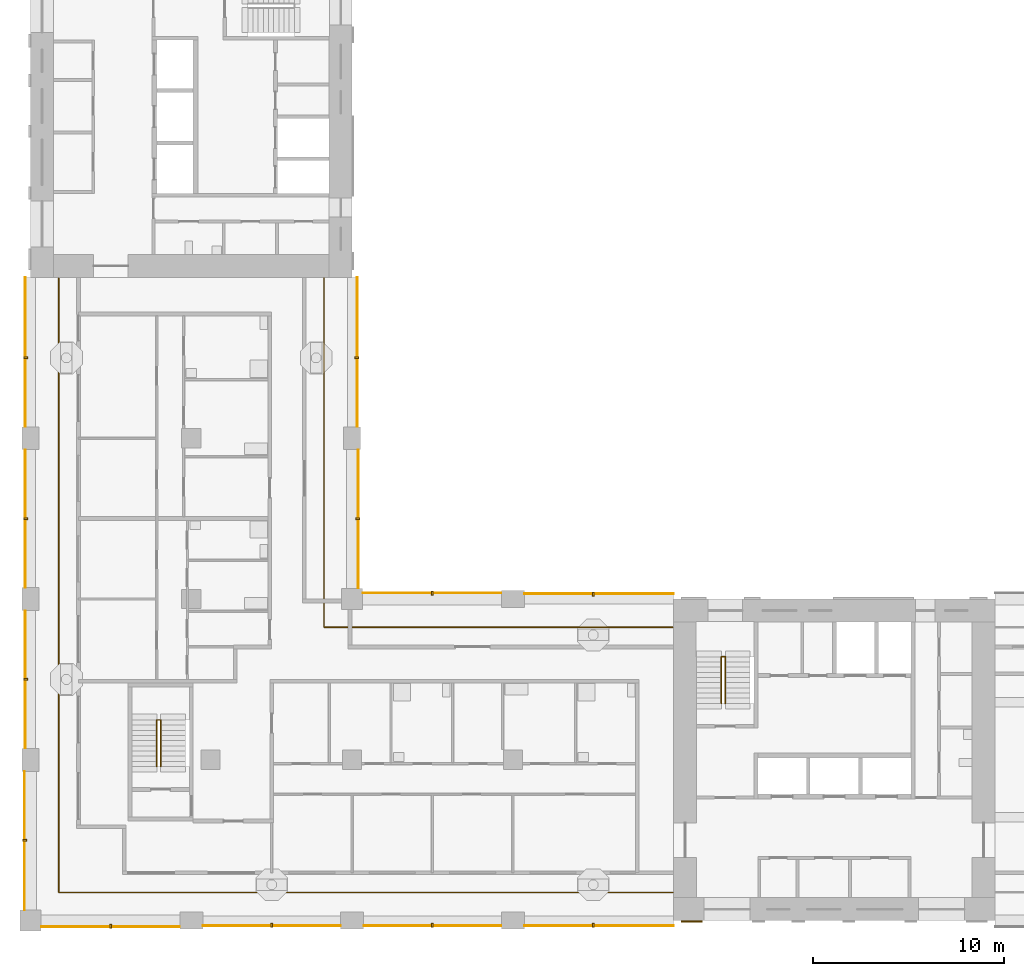
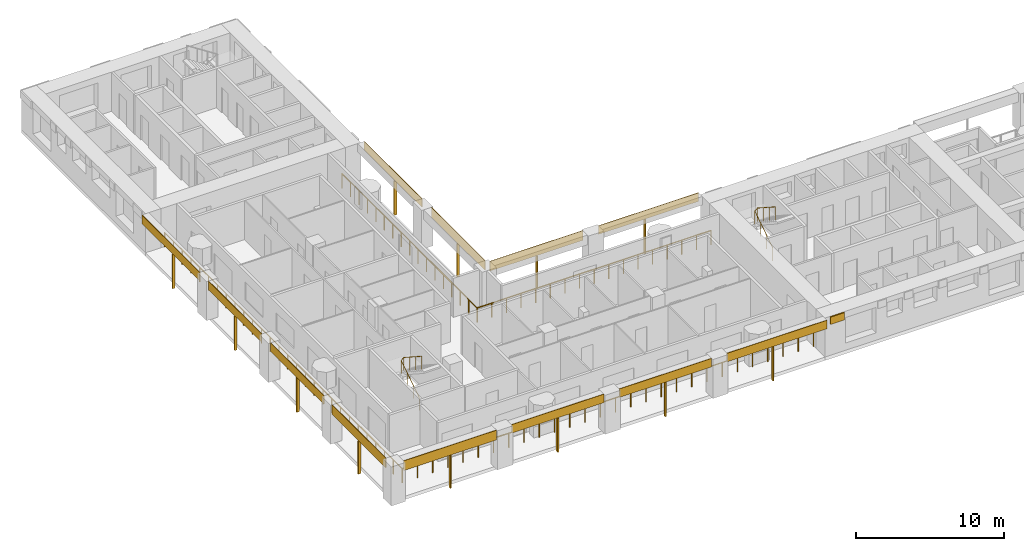
# One storey, part 8 of 13: 25 shading devices, 4 railings.
"""IFC4 building model written with IfcOpenShell, lengths in metres."""

from ifc_helpers import new_model, si_unit, direction, frame, origin, origin_2d, place, context, subcontext, project, spatial, rectangle, circle, extrude, material, layer, layer_set, material_profile, profile_set, type_object, element, save


model = new_model("IFC4")

# Units and contexts
model_context = context("Model", 3, precision=1e-05, world=origin(), true_north=direction((0.0, 1.0)))
body_context = subcontext(model_context, "Body", "Model", "MODEL_VIEW")
ifc_project = project(units=[si_unit("LENGTHUNIT", "METRE"), si_unit("AREAUNIT", "SQUARE_METRE"), si_unit("VOLUMEUNIT", "CUBIC_METRE"), si_unit("PLANEANGLEUNIT", "RADIAN"), si_unit("MASSUNIT", "GRAM", prefix="KILO")], contexts=[model_context])

# Site, building, storey
site_placement = place(None, origin())
site = spatial("IfcSite", under=ifc_project, at=site_placement, CompositionType="ELEMENT")
building_placement = place(site_placement, origin())
building = spatial("IfcBuilding", under=site, at=building_placement, Name="Vermilion Gate Residences", CompositionType="ELEMENT")
storey_placement = place(building_placement, frame((0.0, 0.0, 154.699951171875)))
storey = spatial("IfcBuildingStorey", under=building, at=storey_placement, Name="L39", CompositionType="ELEMENT", Elevation=154.699951171875)

# Railings
ifc_material_1 = material(Name="Stainless steel and toughened glass", Category="steel")
railing_type_1 = type_object("IfcRailingType", Name="LOGGIA GUARD STEEL AND GLASS 1200", PredefinedType="GUARDRAIL", material=ifc_material_1)
railing_1_placement = place(storey_placement, frame((41.97802734375, 23.72509765625, 0.0)))
element("IfcRailing", 1, at=railing_1_placement, inside=storey, type_object=railing_type_1, Name="Loggia guard", PredefinedType="GUARDRAIL", context=body_context, shape_type="SweptSolid", body=[
    extrude(circle(Radius=0.030029296875, at=origin_2d()), frame((0.0, 0.0, 1.169921875), z_axis=(-1.0, 0.0, 0.0), x_axis=(0.0, -1.0, 0.0)), (0.0, 0.0, 1.0), 18.2529296875),
    extrude(circle(Radius=0.030029296875, at=origin_2d()), frame((-18.2529296875, 0.0, 1.169921875), z_axis=(0.0, 1.0, 0.0), x_axis=(-1.0, 0.0, 0.0)), (0.0, 0.0, 1.0), 18.2529296875),
    extrude(circle(Radius=0.02490234375, at=origin_2d()), origin(), (0.0, 0.0, 1.0), 1.139892578125),
    extrude(circle(Radius=0.02490234375, at=origin_2d()), frame((-1.140869140625, 0.0, 0.0)), (0.0, 0.0, 1.0), 1.139892578125),
    extrude(circle(Radius=0.02490234375, at=origin_2d()), frame((-2.28173828125, 0.0, 0.0)), (0.0, 0.0, 1.0), 1.139892578125),
    extrude(circle(Radius=0.02490234375, at=origin_2d()), frame((-3.42236328125, 0.0, 0.0)), (0.0, 0.0, 1.0), 1.139892578125),
    extrude(circle(Radius=0.02490234375, at=origin_2d()), frame((-4.563232421875, 0.0, 0.0)), (0.0, 0.0, 1.0), 1.139892578125),
    extrude(circle(Radius=0.02490234375, at=origin_2d()), frame((-5.7041015625, 0.0, 0.0)), (0.0, 0.0, 1.0), 1.139892578125),
    extrude(circle(Radius=0.02490234375, at=origin_2d()), frame((-6.8447265625, 0.0, 0.0)), (0.0, 0.0, 1.0), 1.139892578125),
    extrude(circle(Radius=0.02490234375, at=origin_2d()), frame((-7.985595703125, 0.0, 0.0)), (0.0, 0.0, 1.0), 1.139892578125),
    extrude(circle(Radius=0.02490234375, at=origin_2d()), frame((-9.12646484375, 0.0, 0.0)), (0.0, 0.0, 1.0), 1.139892578125),
    extrude(circle(Radius=0.02490234375, at=origin_2d()), frame((-10.267333984375, 0.0, 0.0)), (0.0, 0.0, 1.0), 1.139892578125),
    extrude(circle(Radius=0.02490234375, at=origin_2d()), frame((-11.408203125, 0.0, 0.0)), (0.0, 0.0, 1.0), 1.139892578125),
    extrude(circle(Radius=0.02490234375, at=origin_2d()), frame((-12.548828125, 0.0, 0.0)), (0.0, 0.0, 1.0), 1.139892578125),
    extrude(circle(Radius=0.02490234375, at=origin_2d()), frame((-13.689697265625, 0.0, 0.0)), (0.0, 0.0, 1.0), 1.139892578125),
    extrude(circle(Radius=0.02490234375, at=origin_2d()), frame((-14.83056640625, 0.0, 0.0)), (0.0, 0.0, 1.0), 1.139892578125),
    extrude(circle(Radius=0.02490234375, at=origin_2d()), frame((-15.97119140625, 0.0, 0.0)), (0.0, 0.0, 1.0), 1.139892578125),
    extrude(circle(Radius=0.02490234375, at=origin_2d()), frame((-17.112060546875, 0.0, 0.0)), (0.0, 0.0, 1.0), 1.139892578125),
    extrude(circle(Radius=0.02490234375, at=origin_2d()), frame((-18.2529296875, 0.0, 0.0)), (0.0, 0.0, 1.0), 1.139892578125),
    extrude(circle(Radius=0.02490234375, at=origin_2d()), frame((-18.2529296875, 1.140869140625, 0.0)), (0.0, 0.0, 1.0), 1.139892578125),
    extrude(circle(Radius=0.02490234375, at=origin_2d()), frame((-18.2529296875, 2.28173828125, 0.0)), (0.0, 0.0, 1.0), 1.139892578125),
    extrude(circle(Radius=0.02490234375, at=origin_2d()), frame((-18.2529296875, 3.42236328125, 0.0)), (0.0, 0.0, 1.0), 1.139892578125),
    extrude(circle(Radius=0.02490234375, at=origin_2d()), frame((-18.2529296875, 4.563232421875, 0.0)), (0.0, 0.0, 1.0), 1.139892578125),
    extrude(circle(Radius=0.02490234375, at=origin_2d()), frame((-18.2529296875, 5.7041015625, 0.0)), (0.0, 0.0, 1.0), 1.139892578125),
    extrude(circle(Radius=0.02490234375, at=origin_2d()), frame((-18.2529296875, 6.8447265625, 0.0)), (0.0, 0.0, 1.0), 1.139892578125),
    extrude(circle(Radius=0.02490234375, at=origin_2d()), frame((-18.2529296875, 7.985595703125, 0.0)), (0.0, 0.0, 1.0), 1.139892578125),
    extrude(circle(Radius=0.02490234375, at=origin_2d()), frame((-18.2529296875, 9.12646484375, 0.0)), (0.0, 0.0, 1.0), 1.139892578125),
    extrude(circle(Radius=0.02490234375, at=origin_2d()), frame((-18.2529296875, 10.267333984375, 0.0)), (0.0, 0.0, 1.0), 1.139892578125),
    extrude(circle(Radius=0.02490234375, at=origin_2d()), frame((-18.2529296875, 11.408203125, 0.0)), (0.0, 0.0, 1.0), 1.139892578125),
    extrude(circle(Radius=0.02490234375, at=origin_2d()), frame((-18.2529296875, 12.548828125, 0.0)), (0.0, 0.0, 1.0), 1.139892578125),
    extrude(circle(Radius=0.02490234375, at=origin_2d()), frame((-18.2529296875, 13.689697265625, 0.0)), (0.0, 0.0, 1.0), 1.139892578125),
    extrude(circle(Radius=0.02490234375, at=origin_2d()), frame((-18.2529296875, 14.83056640625, 0.0)), (0.0, 0.0, 1.0), 1.139892578125),
    extrude(circle(Radius=0.02490234375, at=origin_2d()), frame((-18.2529296875, 15.97119140625, 0.0)), (0.0, 0.0, 1.0), 1.139892578125),
    extrude(circle(Radius=0.02490234375, at=origin_2d()), frame((-18.2529296875, 17.112060546875, 0.0)), (0.0, 0.0, 1.0), 1.139892578125),
    extrude(circle(Radius=0.02490234375, at=origin_2d()), frame((-18.2529296875, 18.2529296875, 0.0)), (0.0, 0.0, 1.0), 1.139892578125),
])
railing_2_placement = place(storey_placement, frame((9.875, 41.97802734375, 0.0)))
element("IfcRailing", 2, at=railing_2_placement, inside=storey, type_object=railing_type_1, Name="Loggia guard", PredefinedType="GUARDRAIL", context=body_context, shape_type="SweptSolid", body=[
    extrude(circle(Radius=0.030029296875, at=origin_2d()), frame((0.0, 0.0, 1.169921875), z_axis=(0.0, -1.0, 0.0), x_axis=(1.0, 0.0, 0.0)), (0.0, 0.0, 1.0), 32.10302734375),
    extrude(circle(Radius=0.030029296875, at=origin_2d()), frame((0.0, -32.10302734375, 1.169921875), z_axis=(1.0, 0.0, 0.0), x_axis=(0.0, 1.0, 0.0)), (0.0, 0.0, 1.0), 32.10302734375),
    extrude(circle(Radius=0.02490234375, at=origin_2d()), origin(), (0.0, 0.0, 1.0), 1.139892578125),
    extrude(circle(Radius=0.02490234375, at=origin_2d()), frame((0.0, -1.18896484375, 0.0)), (0.0, 0.0, 1.0), 1.139892578125),
    extrude(circle(Radius=0.02490234375, at=origin_2d()), frame((0.0, -2.3779296875, 0.0)), (0.0, 0.0, 1.0), 1.139892578125),
    extrude(circle(Radius=0.02490234375, at=origin_2d()), frame((0.0, -3.56689453125, 0.0)), (0.0, 0.0, 1.0), 1.139892578125),
    extrude(circle(Radius=0.02490234375, at=origin_2d()), frame((0.0, -4.756103515625, 0.0)), (0.0, 0.0, 1.0), 1.139892578125),
    extrude(circle(Radius=0.02490234375, at=origin_2d()), frame((0.0, -5.945068359375, 0.0)), (0.0, 0.0, 1.0), 1.139892578125),
    extrude(circle(Radius=0.02490234375, at=origin_2d()), frame((0.0, -7.134033203125, 0.0)), (0.0, 0.0, 1.0), 1.139892578125),
    extrude(circle(Radius=0.02490234375, at=origin_2d()), frame((0.0, -8.322998046875, 0.0)), (0.0, 0.0, 1.0), 1.139892578125),
    extrude(circle(Radius=0.02490234375, at=origin_2d()), frame((0.0, -9.511962890625, 0.0)), (0.0, 0.0, 1.0), 1.139892578125),
    extrude(circle(Radius=0.02490234375, at=origin_2d()), frame((0.0, -10.700927734375, 0.0)), (0.0, 0.0, 1.0), 1.139892578125),
    extrude(circle(Radius=0.02490234375, at=origin_2d()), frame((0.0, -11.889892578125, 0.0)), (0.0, 0.0, 1.0), 1.139892578125),
    extrude(circle(Radius=0.02490234375, at=origin_2d()), frame((0.0, -13.0791015625, 0.0)), (0.0, 0.0, 1.0), 1.139892578125),
    extrude(circle(Radius=0.02490234375, at=origin_2d()), frame((0.0, -14.26806640625, 0.0)), (0.0, 0.0, 1.0), 1.139892578125),
    extrude(circle(Radius=0.02490234375, at=origin_2d()), frame((0.0, -15.45703125, 0.0)), (0.0, 0.0, 1.0), 1.139892578125),
    extrude(circle(Radius=0.02490234375, at=origin_2d()), frame((0.0, -16.64599609375, 0.0)), (0.0, 0.0, 1.0), 1.139892578125),
    extrude(circle(Radius=0.02490234375, at=origin_2d()), frame((0.0, -17.8349609375, 0.0)), (0.0, 0.0, 1.0), 1.139892578125),
    extrude(circle(Radius=0.02490234375, at=origin_2d()), frame((0.0, -19.02392578125, 0.0)), (0.0, 0.0, 1.0), 1.139892578125),
    extrude(circle(Radius=0.02490234375, at=origin_2d()), frame((0.0, -20.213134765625, 0.0)), (0.0, 0.0, 1.0), 1.139892578125),
    extrude(circle(Radius=0.02490234375, at=origin_2d()), frame((0.0, -21.402099609375, 0.0)), (0.0, 0.0, 1.0), 1.139892578125),
    extrude(circle(Radius=0.02490234375, at=origin_2d()), frame((0.0, -22.591064453125, 0.0)), (0.0, 0.0, 1.0), 1.139892578125),
    extrude(circle(Radius=0.02490234375, at=origin_2d()), frame((0.0, -23.780029296875, 0.0)), (0.0, 0.0, 1.0), 1.139892578125),
    extrude(circle(Radius=0.02490234375, at=origin_2d()), frame((0.0, -24.968994140625, 0.0)), (0.0, 0.0, 1.0), 1.139892578125),
    extrude(circle(Radius=0.02490234375, at=origin_2d()), frame((0.0, -26.157958984375, 0.0)), (0.0, 0.0, 1.0), 1.139892578125),
    extrude(circle(Radius=0.02490234375, at=origin_2d()), frame((0.0, -27.346923828125, 0.0)), (0.0, 0.0, 1.0), 1.139892578125),
    extrude(circle(Radius=0.02490234375, at=origin_2d()), frame((0.0, -28.5361328125, 0.0)), (0.0, 0.0, 1.0), 1.139892578125),
    extrude(circle(Radius=0.02490234375, at=origin_2d()), frame((0.0, -29.72509765625, 0.0)), (0.0, 0.0, 1.0), 1.139892578125),
    extrude(circle(Radius=0.02490234375, at=origin_2d()), frame((0.0, -30.9140625, 0.0)), (0.0, 0.0, 1.0), 1.139892578125),
    extrude(circle(Radius=0.02490234375, at=origin_2d()), frame((0.0, -32.10302734375, 0.0)), (0.0, 0.0, 1.0), 1.139892578125),
    extrude(circle(Radius=0.02490234375, at=origin_2d()), frame((1.18896484375, -32.10302734375, 0.0)), (0.0, 0.0, 1.0), 1.139892578125),
    extrude(circle(Radius=0.02490234375, at=origin_2d()), frame((2.3779296875, -32.10302734375, 0.0)), (0.0, 0.0, 1.0), 1.139892578125),
    extrude(circle(Radius=0.02490234375, at=origin_2d()), frame((3.56689453125, -32.10302734375, 0.0)), (0.0, 0.0, 1.0), 1.139892578125),
    extrude(circle(Radius=0.02490234375, at=origin_2d()), frame((4.756103515625, -32.10302734375, 0.0)), (0.0, 0.0, 1.0), 1.139892578125),
    extrude(circle(Radius=0.02490234375, at=origin_2d()), frame((5.945068359375, -32.10302734375, 0.0)), (0.0, 0.0, 1.0), 1.139892578125),
    extrude(circle(Radius=0.02490234375, at=origin_2d()), frame((7.134033203125, -32.10302734375, 0.0)), (0.0, 0.0, 1.0), 1.139892578125),
    extrude(circle(Radius=0.02490234375, at=origin_2d()), frame((8.322998046875, -32.10302734375, 0.0)), (0.0, 0.0, 1.0), 1.139892578125),
    extrude(circle(Radius=0.02490234375, at=origin_2d()), frame((9.511962890625, -32.10302734375, 0.0)), (0.0, 0.0, 1.0), 1.139892578125),
    extrude(circle(Radius=0.02490234375, at=origin_2d()), frame((10.700927734375, -32.10302734375, 0.0)), (0.0, 0.0, 1.0), 1.139892578125),
    extrude(circle(Radius=0.02490234375, at=origin_2d()), frame((11.889892578125, -32.10302734375, 0.0)), (0.0, 0.0, 1.0), 1.139892578125),
    extrude(circle(Radius=0.02490234375, at=origin_2d()), frame((13.0791015625, -32.10302734375, 0.0)), (0.0, 0.0, 1.0), 1.139892578125),
    extrude(circle(Radius=0.02490234375, at=origin_2d()), frame((14.26806640625, -32.10302734375, 0.0)), (0.0, 0.0, 1.0), 1.139892578125),
    extrude(circle(Radius=0.02490234375, at=origin_2d()), frame((15.45703125, -32.10302734375, 0.0)), (0.0, 0.0, 1.0), 1.139892578125),
    extrude(circle(Radius=0.02490234375, at=origin_2d()), frame((16.64599609375, -32.10302734375, 0.0)), (0.0, 0.0, 1.0), 1.139892578125),
    extrude(circle(Radius=0.02490234375, at=origin_2d()), frame((17.8349609375, -32.10302734375, 0.0)), (0.0, 0.0, 1.0), 1.139892578125),
    extrude(circle(Radius=0.02490234375, at=origin_2d()), frame((19.02392578125, -32.10302734375, 0.0)), (0.0, 0.0, 1.0), 1.139892578125),
    extrude(circle(Radius=0.02490234375, at=origin_2d()), frame((20.213134765625, -32.10302734375, 0.0)), (0.0, 0.0, 1.0), 1.139892578125),
    extrude(circle(Radius=0.02490234375, at=origin_2d()), frame((21.402099609375, -32.10302734375, 0.0)), (0.0, 0.0, 1.0), 1.139892578125),
    extrude(circle(Radius=0.02490234375, at=origin_2d()), frame((22.591064453125, -32.10302734375, 0.0)), (0.0, 0.0, 1.0), 1.139892578125),
    extrude(circle(Radius=0.02490234375, at=origin_2d()), frame((23.780029296875, -32.10302734375, 0.0)), (0.0, 0.0, 1.0), 1.139892578125),
    extrude(circle(Radius=0.02490234375, at=origin_2d()), frame((24.968994140625, -32.10302734375, 0.0)), (0.0, 0.0, 1.0), 1.139892578125),
    extrude(circle(Radius=0.02490234375, at=origin_2d()), frame((26.157958984375, -32.10302734375, 0.0)), (0.0, 0.0, 1.0), 1.139892578125),
    extrude(circle(Radius=0.02490234375, at=origin_2d()), frame((27.346923828125, -32.10302734375, 0.0)), (0.0, 0.0, 1.0), 1.139892578125),
    extrude(circle(Radius=0.02490234375, at=origin_2d()), frame((28.5361328125, -32.10302734375, 0.0)), (0.0, 0.0, 1.0), 1.139892578125),
    extrude(circle(Radius=0.02490234375, at=origin_2d()), frame((29.72509765625, -32.10302734375, 0.0)), (0.0, 0.0, 1.0), 1.139892578125),
    extrude(circle(Radius=0.02490234375, at=origin_2d()), frame((30.9140625, -32.10302734375, 0.0)), (0.0, 0.0, 1.0), 1.139892578125),
    extrude(circle(Radius=0.02490234375, at=origin_2d()), frame((32.10302734375, -32.10302734375, 0.0)), (0.0, 0.0, 1.0), 1.139892578125),
])

# Shading devices
ifc_material_2 = material(Name="Perforated terracotta", Category="masonry")
ifc_layer_1 = layer(ifc_material_2, 0.0400390625)
ifc_layer_set_1 = layer_set([ifc_layer_1], Name="PERFORATED TERRACOTTA SCREEN 40")
shading_device_type_1 = type_object("IfcShadingDeviceType", Name="PERFORATED TERRACOTTA SCREEN 40", PredefinedType="SHUTTER", material=ifc_layer_set_1)
shading_device_1_placement = place(storey_placement, frame((12.574951171875, 8.080078125, 2.419921875), z_axis=(0.0, 0.0, 1.0), x_axis=(1.0, 0.0, 0.0)))
element("IfcShadingDevice", 3, at=shading_device_1_placement, inside=storey, type_object=shading_device_type_1, Name="SCREEN", PredefinedType="SHUTTER", context=body_context, shape_type="SweptSolid", body=[
    extrude(rectangle(XDim=7.25, YDim=0.0400390625, at=origin_2d()), origin(), (0.0, 0.0, 1.0), 0.800048828125),
])
for number, where, z_axis, x_axis, name in (
    (4, (21.0, 8.1298828125, 2.52001953125), (0.0, 0.0, 1.0), (1.0, 0.0, 0.0), "SCREEN"),
    (5, (29.39990234375, 8.1298828125, 2.52001953125), (0.0, 0.0, 1.0), (1.0, 0.0, 0.0), "SCREEN"),
):
    element("IfcShadingDevice", number, at=place(storey_placement, frame(where, z_axis=z_axis, x_axis=x_axis)), inside=storey, type_object=shading_device_type_1, Name=name, PredefinedType="SHUTTER", context=body_context, shape_type="SweptSolid", body=[
        extrude(rectangle(XDim=7.199951171875, YDim=0.0400390625, at=origin_2d()), origin(), (0.0, 0.0, 1.0), 0.699951171875),
    ])
shading_device_2_placement = place(storey_placement, frame((38.10009765625, 8.1298828125, 2.52001953125), z_axis=(0.0, 0.0, 1.0), x_axis=(1.0, 0.0, 0.0)))
element("IfcShadingDevice", 6, at=shading_device_2_placement, inside=storey, type_object=shading_device_type_1, Name="SCREEN", PredefinedType="SHUTTER", context=body_context, shape_type="SweptSolid", body=[
    extrude(rectangle(XDim=7.800048828125, YDim=0.0400390625, at=origin_2d()), origin(), (0.0, 0.0, 1.0), 0.699951171875),
])
shading_device_3_placement = place(storey_placement, frame((29.375, 25.52001953125, 2.419921875), z_axis=(0.0, 0.0, 1.0), x_axis=(-1.0, 0.0, 0.0)))
element("IfcShadingDevice", 7, at=shading_device_3_placement, inside=storey, type_object=shading_device_type_1, Name="SCREEN", PredefinedType="SHUTTER", context=body_context, shape_type="SweptSolid", body=[
    extrude(rectangle(XDim=7.25, YDim=0.0400390625, at=origin_2d()), origin(), (0.0, 0.0, 1.0), 0.800048828125),
])
shading_device_4_placement = place(storey_placement, frame((38.10009765625, 25.469970703125, 2.52001953125), z_axis=(0.0, 0.0, 1.0), x_axis=(-1.0, 0.0, 0.0)))
element("IfcShadingDevice", 8, at=shading_device_4_placement, inside=storey, type_object=shading_device_type_1, Name="SCREEN", PredefinedType="SHUTTER", context=body_context, shape_type="SweptSolid", body=[
    extrude(rectangle(XDim=7.800048828125, YDim=0.0400390625, at=origin_2d()), origin(), (0.0, 0.0, 1.0), 0.699951171875),
])
shading_device_5_placement = place(storey_placement, frame((25.52001953125, 29.375, 2.419921875), z_axis=(0.0, 0.0, 1.0), x_axis=(0.0, 1.0, 0.0)))
element("IfcShadingDevice", 9, at=shading_device_5_placement, inside=storey, type_object=shading_device_type_1, Name="SCREEN", PredefinedType="SHUTTER", context=body_context, shape_type="SweptSolid", body=[
    extrude(rectangle(XDim=7.25, YDim=0.0400390625, at=origin_2d()), origin(), (0.0, 0.0, 1.0), 0.800048828125),
])
shading_device_6_placement = place(storey_placement, frame((25.469970703125, 38.10009765625, 2.52001953125), z_axis=(0.0, 0.0, 1.0), x_axis=(0.0, 1.0, 0.0)))
element("IfcShadingDevice", 10, at=shading_device_6_placement, inside=storey, type_object=shading_device_type_1, Name="SCREEN", PredefinedType="SHUTTER", context=body_context, shape_type="SweptSolid", body=[
    extrude(rectangle(XDim=7.800048828125, YDim=0.0400390625, at=origin_2d()), origin(), (0.0, 0.0, 1.0), 0.699951171875),
])
shading_device_7_placement = place(storey_placement, frame((8.080078125, 12.574951171875, 2.419921875), z_axis=(0.0, 0.0, 1.0), x_axis=(0.0, -1.0, 0.0)))
element("IfcShadingDevice", 11, at=shading_device_7_placement, inside=storey, type_object=shading_device_type_1, Name="SCREEN", PredefinedType="SHUTTER", context=body_context, shape_type="SweptSolid", body=[
    extrude(rectangle(XDim=7.25, YDim=0.0400390625, at=origin_2d()), origin(), (0.0, 0.0, 1.0), 0.800048828125),
])
for number, where, z_axis, x_axis, name in (
    (12, (8.1298828125, 21.0, 2.52001953125), (0.0, 0.0, 1.0), (0.0, -1.0, 0.0), "SCREEN"),
    (13, (8.1298828125, 29.39990234375, 2.52001953125), (0.0, 0.0, 1.0), (0.0, -1.0, 0.0), "SCREEN"),
):
    element("IfcShadingDevice", number, at=place(storey_placement, frame(where, z_axis=z_axis, x_axis=x_axis)), inside=storey, type_object=shading_device_type_1, Name=name, PredefinedType="SHUTTER", context=body_context, shape_type="SweptSolid", body=[
        extrude(rectangle(XDim=7.199951171875, YDim=0.0400390625, at=origin_2d()), origin(), (0.0, 0.0, 1.0), 0.699951171875),
    ])
shading_device_8_placement = place(storey_placement, frame((8.1298828125, 38.10009765625, 2.52001953125), z_axis=(0.0, 0.0, 1.0), x_axis=(0.0, -1.0, 0.0)))
element("IfcShadingDevice", 14, at=shading_device_8_placement, inside=storey, type_object=shading_device_type_1, Name="SCREEN", PredefinedType="SHUTTER", context=body_context, shape_type="SweptSolid", body=[
    extrude(rectangle(XDim=7.800048828125, YDim=0.0400390625, at=origin_2d()), origin(), (0.0, 0.0, 1.0), 0.699951171875),
])

# Railings
ifc_material_3 = material(Name="Steel S355", Category="steel")
railing_type_2 = type_object("IfcRailingType", Name="STAIR GUARD 1100 STEEL", PredefinedType="GUARDRAIL", material=ifc_material_3)
for number, where, name in (
    (15, (44.5, 19.75, 0.175048828125), "Stair well guard STA1-39"),
    (16, (15.0, 16.449951171875, 0.175048828125), "Stair well guard STC1-39"),
):
    element("IfcRailing", number, at=place(storey_placement, frame(where)), inside=storey, type_object=railing_type_2, Name=name, PredefinedType="GUARDRAIL", context=body_context, shape_type="SweptSolid", body=[
        extrude(circle(Radius=0.02392578125, at=origin_2d()), frame((0.0, 0.0, 1.076171875), z_axis=(0.0, 0.839153699163, 0.543894354798), x_axis=(-1.0, 0.0, 0.0)), (0.0, 0.0, 1.0), 2.895751953125),
        extrude(circle(Radius=0.02392578125, at=origin_2d()), frame((0.0, 2.429931640625, 2.65087890625), z_axis=(0.752405939678, 0.0, 0.658699705433), x_axis=(0.0, 1.0, 0.0)), (0.0, 0.0, 1.0), 0.265869140625),
        extrude(circle(Radius=0.02392578125, at=origin_2d()), frame((0.199951171875, 2.429931640625, 2.826171875), z_axis=(0.0, -0.839153699163, 0.543894354798), x_axis=(1.0, 0.0, 0.0)), (0.0, 0.0, 1.0), 2.895751953125),
        extrude(circle(Radius=0.02099609375, at=origin_2d()), origin(), (0.0, 0.0, 1.0), 1.052001953125),
        extrude(circle(Radius=0.02099609375, at=origin_2d()), frame((0.0, 0.81005859375, 0.52490234375)), (0.0, 0.0, 1.0), 1.052001953125),
        extrude(circle(Radius=0.02099609375, at=origin_2d()), frame((0.0, 1.619873046875, 1.050048828125)), (0.0, 0.0, 1.0), 1.052001953125),
        extrude(circle(Radius=0.02099609375, at=origin_2d()), frame((0.0, 2.429931640625, 1.574951171875)), (0.0, 0.0, 1.0), 1.052001953125),
        extrude(circle(Radius=0.02099609375, at=origin_2d()), frame((0.199951171875, 2.429931640625, 1.75)), (0.0, 0.0, 1.0), 1.052001953125),
        extrude(circle(Radius=0.02099609375, at=origin_2d()), frame((0.199951171875, 1.619873046875, 2.27490234375)), (0.0, 0.0, 1.0), 1.052001953125),
        extrude(circle(Radius=0.02099609375, at=origin_2d()), frame((0.199951171875, 0.81005859375, 2.800048828125)), (0.0, 0.0, 1.0), 1.052001953125),
        extrude(circle(Radius=0.02099609375, at=origin_2d()), frame((0.199951171875, 0.0, 3.324951171875)), (0.0, 0.0, 1.0), 1.052001953125),
    ])

# Shading devices
ifc_material_4 = material(Name="Extruded terracotta", Category="masonry")
ifc_material_profile = material_profile(ifc_material_4, rectangle(XDim=0.199951171875, YDim=0.10009765625, at=origin_2d()), Name="BAGUETTE 100 X 200")
ifc_profile_set = profile_set([ifc_material_profile], Name="Extruded terracotta")
shading_device_type_2 = type_object("IfcShadingDeviceType", Name="TERRACOTTA BAGUETTE 100 X 200", PredefinedType="JALOUSIE", material=ifc_profile_set)
shading_device_9_placement = place(storey_placement, frame((12.60009765625, 8.10009765625, -0.280029296875), z_axis=(0.0, 0.0, 1.0), x_axis=(0.0, 1.0, 0.0)))
element("IfcShadingDevice", 17, at=shading_device_9_placement, inside=storey, type_object=shading_device_type_2, Name="BAGUETTE", PredefinedType="JALOUSIE", context=body_context, shape_type="SweptSolid", body=[
    extrude(rectangle(XDim=0.199951171875, YDim=0.10009765625, at=origin_2d()), origin(), (0.0, 0.0, 1.0), 2.7001953125),
])
for number, where, z_axis, x_axis, name in (
    (18, (21.0, 8.14990234375, -0.280029296875), (0.0, 0.0, 1.0), (0.0, 1.0, 0.0), "BAGUETTE"),
    (19, (29.39990234375, 8.14990234375, -0.280029296875), (0.0, 0.0, 1.0), (0.0, 1.0, 0.0), "BAGUETTE"),
    (20, (37.800048828125, 8.14990234375, -0.280029296875), (0.0, 0.0, 1.0), (0.0, 1.0, 0.0), "BAGUETTE"),
):
    element("IfcShadingDevice", number, at=place(storey_placement, frame(where, z_axis=z_axis, x_axis=x_axis)), inside=storey, type_object=shading_device_type_2, Name=name, PredefinedType="JALOUSIE", context=body_context, shape_type="SweptSolid", body=[
        extrude(rectangle(XDim=0.199951171875, YDim=0.10009765625, at=origin_2d()), origin(), (0.0, 0.0, 1.0), 2.800048828125),
    ])
shading_device_10_placement = place(storey_placement, frame((29.39990234375, 25.5, -0.280029296875), z_axis=(0.0, 0.0, 1.0), x_axis=(0.0, -1.0, 0.0)))
element("IfcShadingDevice", 21, at=shading_device_10_placement, inside=storey, type_object=shading_device_type_2, Name="BAGUETTE", PredefinedType="JALOUSIE", context=body_context, shape_type="SweptSolid", body=[
    extrude(rectangle(XDim=0.199951171875, YDim=0.10009765625, at=origin_2d()), origin(), (0.0, 0.0, 1.0), 2.7001953125),
])
shading_device_11_placement = place(storey_placement, frame((37.800048828125, 25.449951171875, -0.280029296875), z_axis=(0.0, 0.0, 1.0), x_axis=(0.0, -1.0, 0.0)))
element("IfcShadingDevice", 22, at=shading_device_11_placement, inside=storey, type_object=shading_device_type_2, Name="BAGUETTE", PredefinedType="JALOUSIE", context=body_context, shape_type="SweptSolid", body=[
    extrude(rectangle(XDim=0.199951171875, YDim=0.10009765625, at=origin_2d()), origin(), (0.0, 0.0, 1.0), 2.800048828125),
])
shading_device_12_placement = place(storey_placement, frame((25.5, 29.39990234375, -0.280029296875), z_axis=(0.0, 0.0, 1.0), x_axis=(-1.0, 0.0, 0.0)))
element("IfcShadingDevice", 23, at=shading_device_12_placement, inside=storey, type_object=shading_device_type_2, Name="BAGUETTE", PredefinedType="JALOUSIE", context=body_context, shape_type="SweptSolid", body=[
    extrude(rectangle(XDim=0.199951171875, YDim=0.10009765625, at=origin_2d()), origin(), (0.0, 0.0, 1.0), 2.7001953125),
])
shading_device_13_placement = place(storey_placement, frame((25.449951171875, 37.800048828125, -0.280029296875), z_axis=(0.0, 0.0, 1.0), x_axis=(-1.0, 0.0, 0.0)))
element("IfcShadingDevice", 24, at=shading_device_13_placement, inside=storey, type_object=shading_device_type_2, Name="BAGUETTE", PredefinedType="JALOUSIE", context=body_context, shape_type="SweptSolid", body=[
    extrude(rectangle(XDim=0.199951171875, YDim=0.10009765625, at=origin_2d()), origin(), (0.0, 0.0, 1.0), 2.800048828125),
])
shading_device_14_placement = place(storey_placement, frame((8.10009765625, 12.60009765625, -0.280029296875), z_axis=(0.0, 0.0, 1.0), x_axis=(1.0, 0.0, 0.0)))
element("IfcShadingDevice", 25, at=shading_device_14_placement, inside=storey, type_object=shading_device_type_2, Name="BAGUETTE", PredefinedType="JALOUSIE", context=body_context, shape_type="SweptSolid", body=[
    extrude(rectangle(XDim=0.199951171875, YDim=0.10009765625, at=origin_2d()), origin(), (0.0, 0.0, 1.0), 2.7001953125),
])
for number, where, z_axis, x_axis, name in (
    (26, (8.14990234375, 21.0, -0.280029296875), (0.0, 0.0, 1.0), (1.0, 0.0, 0.0), "BAGUETTE"),
    (27, (8.14990234375, 29.39990234375, -0.280029296875), (0.0, 0.0, 1.0), (1.0, 0.0, 0.0), "BAGUETTE"),
    (28, (8.14990234375, 37.800048828125, -0.280029296875), (0.0, 0.0, 1.0), (1.0, 0.0, 0.0), "BAGUETTE"),
):
    element("IfcShadingDevice", number, at=place(storey_placement, frame(where, z_axis=z_axis, x_axis=x_axis)), inside=storey, type_object=shading_device_type_2, Name=name, PredefinedType="JALOUSIE", context=body_context, shape_type="SweptSolid", body=[
        extrude(rectangle(XDim=0.199951171875, YDim=0.10009765625, at=origin_2d()), origin(), (0.0, 0.0, 1.0), 2.800048828125),
    ])
ifc_material_5 = material(Name="Extruded terracotta", Category="masonry")
ifc_layer_2 = layer(ifc_material_5, 0.10009765625)
ifc_layer_set_2 = layer_set([ifc_layer_2], Name="TERRACOTTA SPANDREL BAND 600 X 100")
shading_device_type_3 = type_object("IfcShadingDeviceType", Name="TERRACOTTA SPANDREL BAND 600 X 100", PredefinedType="USERDEFINED", material=ifc_layer_set_2)
shading_device_15_placement = place(storey_placement, frame((42.949951171875, 8.35009765625, 2.6201171875), z_axis=(0.0, 0.0, 1.0), x_axis=(1.0, 0.0, 0.0)))
element("IfcShadingDevice", 29, at=shading_device_15_placement, inside=storey, type_object=shading_device_type_3, Name="SPANDREL BAND", ObjectType="BAND", PredefinedType="USERDEFINED", context=body_context, shape_type="SweptSolid", body=[
    extrude(rectangle(XDim=1.10009765625, YDim=0.10009765625, at=origin_2d()), origin(), (0.0, 0.0, 1.0), 0.60009765625),
])

save(model, "model.ifc")
